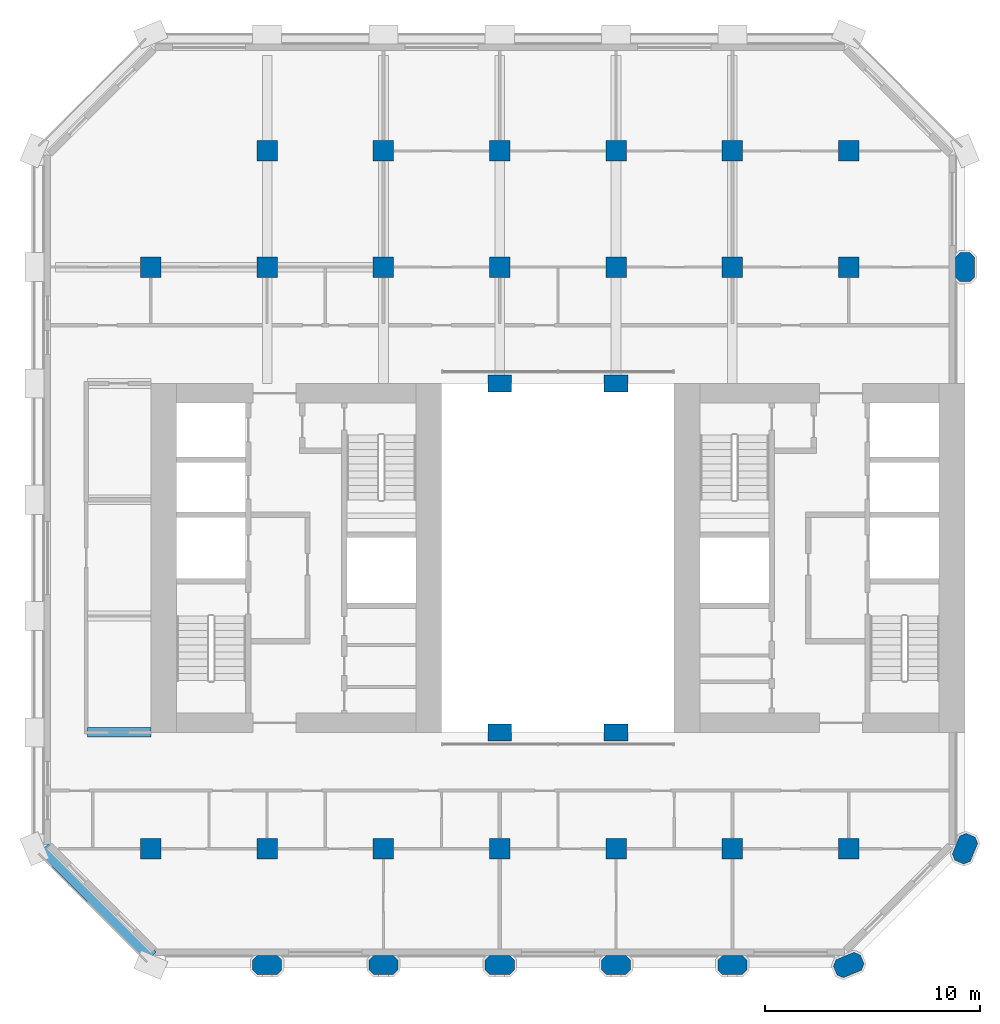
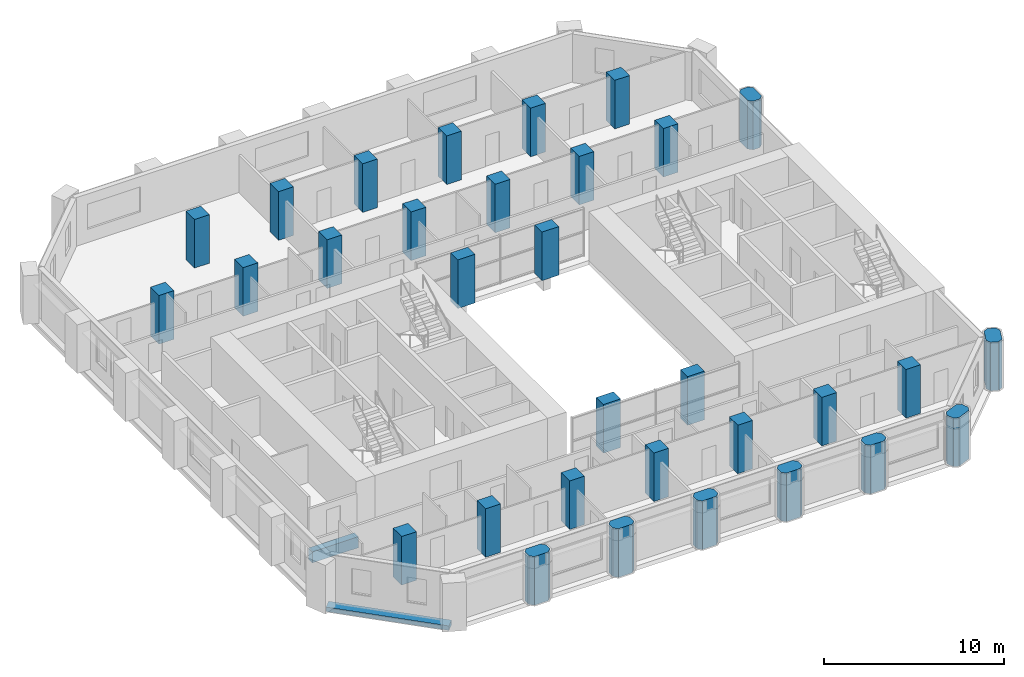
# One storey, part 1 of 13: 32 columns, 2 beams.
"""IFC4 building model written with IfcOpenShell, lengths in metres."""

from ifc_helpers import new_model, si_unit, direction, frame, origin, origin_2d, place, context, subcontext, project, spatial, polyline, rectangle, outline, extrude, material, material_profile, profile_set, type_object, element, save


model = new_model("IFC4")

# Units and contexts
model_context = context("Model", 3, precision=1e-05, world=origin(), true_north=direction((0.0, 1.0)))
body_context = subcontext(model_context, "Body", "Model", "MODEL_VIEW")
ifc_project = project(units=[si_unit("LENGTHUNIT", "METRE"), si_unit("AREAUNIT", "SQUARE_METRE"), si_unit("VOLUMEUNIT", "CUBIC_METRE"), si_unit("PLANEANGLEUNIT", "RADIAN"), si_unit("MASSUNIT", "GRAM", prefix="KILO")], contexts=[model_context])

# Site, building, storey
site_placement = place(None, origin())
site = spatial("IfcSite", under=ifc_project, at=site_placement, CompositionType="ELEMENT")
building_placement = place(site_placement, origin())
building = spatial("IfcBuilding", under=site, at=building_placement, Name="Tabaq Tower and Sports Hall", CompositionType="ELEMENT")
storey_placement = place(building_placement, frame((0.0, 0.0, 122.0)))
storey = spatial("IfcBuildingStorey", under=building, at=storey_placement, Name="L29", CompositionType="ELEMENT", Elevation=122.0)

# Columns
ifc_material_1 = material(Name="Concrete C60/75", Category="concrete")
ifc_material_profile_1 = material_profile(ifc_material_1, rectangle(XDim=1.10009765625, YDim=0.800048828125, at=origin_2d()), Name="ATRIUM COLUMN 1100x800")
ifc_profile_set_1 = profile_set([ifc_material_profile_1], Name="Concrete C60/75")
column_type_1 = type_object("IfcColumnType", Name="RC COLUMN ATRIUM COLUMN 1100x800 C60/75", PredefinedType="COLUMN", material=ifc_profile_set_1)
for number, where, z_axis, x_axis, name in (
    (1, (21.60009765625, 16.199951171875, 0.0), (0.0, 0.0, 1.0), (1.0, 0.0, 0.0), "Atrium Column 5/D L29"),
    (2, (27.0, 16.199951171875, 0.0), (0.0, 0.0, 1.0), (1.0, 0.0, 0.0), "Atrium Column 6/D L29"),
    (3, (21.60009765625, 32.39990234375, 0.0), (0.0, 0.0, 1.0), (1.0, 0.0, 0.0), "Atrium Column 5/G L29"),
    (4, (27.0, 32.39990234375, 0.0), (0.0, 0.0, 1.0), (1.0, 0.0, 0.0), "Atrium Column 6/G L29"),
):
    element("IfcColumn", number, at=place(storey_placement, frame(where, z_axis=z_axis, x_axis=x_axis)), inside=storey, type_object=column_type_1, Name=name, PredefinedType="COLUMN", context=body_context, shape_type="SweptSolid", body=[
        extrude(rectangle(XDim=1.10009765625, YDim=0.800048828125, at=origin_2d()), origin(), (0.0, 0.0, 1.0), 3.300048828125),
    ])
ifc_material_2 = material(Name="Concrete C60/75", Category="concrete")
ifc_material_profile_2 = material_profile(ifc_material_2, rectangle(XDim=0.949951171875, YDim=0.949951171875, at=origin_2d()), Name="COLUMN 950x950")
ifc_profile_set_2 = profile_set([ifc_material_profile_2], Name="Concrete C60/75")
column_type_2 = type_object("IfcColumnType", Name="RC COLUMN COLUMN 950x950 C60/75", PredefinedType="COLUMN", material=ifc_profile_set_2)
for number, where, z_axis, x_axis, name in (
    (5, (5.39990234375, 10.800048828125, 0.0), (0.0, 0.0, 1.0), (1.0, 0.0, 0.0), "Column 2/C L29"),
    (6, (10.800048828125, 10.800048828125, 0.0), (0.0, 0.0, 1.0), (1.0, 0.0, 0.0), "Column 3/C L29"),
    (7, (16.199951171875, 10.800048828125, 0.0), (0.0, 0.0, 1.0), (1.0, 0.0, 0.0), "Column 4/C L29"),
    (8, (21.60009765625, 10.800048828125, 0.0), (0.0, 0.0, 1.0), (1.0, 0.0, 0.0), "Column 5/C L29"),
    (9, (27.0, 10.800048828125, 0.0), (0.0, 0.0, 1.0), (1.0, 0.0, 0.0), "Column 6/C L29"),
    (10, (32.39990234375, 10.800048828125, 0.0), (0.0, 0.0, 1.0), (1.0, 0.0, 0.0), "Column 7/C L29"),
    (11, (37.800048828125, 10.800048828125, 0.0), (0.0, 0.0, 1.0), (1.0, 0.0, 0.0), "Column 8/C L29"),
    (12, (5.39990234375, 37.800048828125, 0.0), (0.0, 0.0, 1.0), (1.0, 0.0, 0.0), "Column 2/H L29"),
    (13, (10.800048828125, 37.800048828125, 0.0), (0.0, 0.0, 1.0), (1.0, 0.0, 0.0), "Column 3/H L29"),
    (14, (16.199951171875, 37.800048828125, 0.0), (0.0, 0.0, 1.0), (1.0, 0.0, 0.0), "Column 4/H L29"),
    (15, (21.60009765625, 37.800048828125, 0.0), (0.0, 0.0, 1.0), (1.0, 0.0, 0.0), "Column 5/H L29"),
    (16, (27.0, 37.800048828125, 0.0), (0.0, 0.0, 1.0), (1.0, 0.0, 0.0), "Column 6/H L29"),
    (17, (32.39990234375, 37.800048828125, 0.0), (0.0, 0.0, 1.0), (1.0, 0.0, 0.0), "Column 7/H L29"),
    (18, (37.800048828125, 37.800048828125, 0.0), (0.0, 0.0, 1.0), (1.0, 0.0, 0.0), "Column 8/H L29"),
    (19, (10.800048828125, 43.199951171875, 0.0), (0.0, 0.0, 1.0), (1.0, 0.0, 0.0), "Column 3/I L29"),
    (20, (16.199951171875, 43.199951171875, 0.0), (0.0, 0.0, 1.0), (1.0, 0.0, 0.0), "Column 4/I L29"),
    (21, (21.60009765625, 43.199951171875, 0.0), (0.0, 0.0, 1.0), (1.0, 0.0, 0.0), "Column 5/I L29"),
    (22, (27.0, 43.199951171875, 0.0), (0.0, 0.0, 1.0), (1.0, 0.0, 0.0), "Column 6/I L29"),
    (23, (32.39990234375, 43.199951171875, 0.0), (0.0, 0.0, 1.0), (1.0, 0.0, 0.0), "Column 7/I L29"),
    (24, (37.800048828125, 43.199951171875, 0.0), (0.0, 0.0, 1.0), (1.0, 0.0, 0.0), "Column 8/I L29"),
):
    element("IfcColumn", number, at=place(storey_placement, frame(where, z_axis=z_axis, x_axis=x_axis)), inside=storey, type_object=column_type_2, Name=name, PredefinedType="COLUMN", context=body_context, shape_type="SweptSolid", body=[
        extrude(rectangle(XDim=0.949951171875, YDim=0.949951171875, at=origin_2d()), origin(), (0.0, 0.0, 1.0), 3.300048828125),
    ])
ifc_material_3 = material(Name="Concrete C60/75", Category="concrete")
ifc_material_profile_3 = material_profile(ifc_material_3, outline(polyline([(-0.449951171875, -0.449951171875), (0.449951171875, -0.449951171875), (0.675048828125, -0.22509765625), (0.675048828125, 0.22509765625), (0.449951171875, 0.449951171875), (-0.449951171875, 0.449951171875), (-0.675048828125, 0.22509765625), (-0.675048828125, -0.22509765625), (-0.449951171875, -0.449951171875)])), Name="PIER 1350x900")
ifc_profile_set_3 = profile_set([ifc_material_profile_3], Name="Concrete C60/75")
column_type_3 = type_object("IfcColumnType", Name="RC COLUMN PIER 1350x900 C60/75", PredefinedType="COLUMN", material=ifc_profile_set_3)
for number, where, z_axis, x_axis, name in (
    (25, (10.800048828125, 5.39990234375, 0.0), (0.0, 0.0, 1.0), (1.0, 0.0, 0.0), "Pier 3/B L29"),
    (26, (16.199951171875, 5.39990234375, 0.0), (0.0, 0.0, 1.0), (1.0, 0.0, 0.0), "Pier 4/B L29"),
    (27, (21.60009765625, 5.39990234375, 0.0), (0.0, 0.0, 1.0), (1.0, 0.0, 0.0), "Pier 5/B L29"),
    (28, (27.0, 5.39990234375, 0.0), (0.0, 0.0, 1.0), (1.0, 0.0, 0.0), "Pier 6/B L29"),
    (29, (32.39990234375, 5.39990234375, 0.0), (0.0, 0.0, 1.0), (1.0, 0.0, 0.0), "Pier 7/B L29"),
    (30, (37.800048828125, 5.39990234375, 0.0), (0.0, 0.0, 1.0), (0.923879532511, 0.382683432365, 0.0), "Pier 8/B L29"),
    (31, (43.199951171875, 10.800048828125, 0.0), (0.0, 0.0, 1.0), (0.382683432365, 0.923879532511, 0.0), "Pier 9/C L29"),
    (32, (43.199951171875, 37.800048828125, 0.0), (0.0, 0.0, 1.0), (0.0, 1.0, 0.0), "Pier 9/H L29"),
):
    element("IfcColumn", number, at=place(storey_placement, frame(where, z_axis=z_axis, x_axis=x_axis)), inside=storey, type_object=column_type_3, Name=name, PredefinedType="COLUMN", context=body_context, shape_type="SweptSolid", body=[
        extrude(outline(polyline([(-0.449951171875, -0.449951171875), (0.449951171875, -0.449951171875), (0.675048828125, -0.22509765625), (0.675048828125, 0.22509765625), (0.449951171875, 0.449951171875), (-0.449951171875, 0.449951171875), (-0.675048828125, 0.22509765625), (-0.675048828125, -0.22509765625), (-0.449951171875, -0.449951171875)])), origin(), (0.0, 0.0, 1.0), 3.300048828125),
    ])

# Beams
ifc_material_4 = material(Name="Concrete C40/50", Category="concrete")
ifc_material_profile_4 = material_profile(ifc_material_4, rectangle(XDim=0.449951171875, YDim=0.75, at=origin_2d()), Name="CB 450x750")
ifc_profile_set_4 = profile_set([ifc_material_profile_4], Name="Concrete C40/50")
beam_type_1 = type_object("IfcBeamType", Name="PT CANTILEVER BEAM CB 450x750 C40/50", PredefinedType="BEAM", material=ifc_profile_set_4)
beam_1_placement = place(storey_placement, frame((2.449951171875, 16.199951171875, -0.675048828125), z_axis=(1.0, 0.0, 0.0), x_axis=(0.0, 1.0, 0.0)))
element("IfcBeam", 33, at=beam_1_placement, inside=storey, type_object=beam_type_1, Name="Cantilever Beam L29 W3 span 1", PredefinedType="BEAM", context=body_context, shape_type="SweptSolid", body=[
    extrude(rectangle(XDim=0.449951171875, YDim=0.75, at=origin_2d()), origin(), (0.0, 0.0, 1.0), 2.949951171875),
])
ifc_material_5 = material(Name="Concrete C40/50", Category="concrete")
ifc_material_profile_5 = material_profile(ifc_material_5, rectangle(XDim=0.60009765625, YDim=0.300048828125, at=origin_2d()), Name="EB 600x300")
ifc_profile_set_5 = profile_set([ifc_material_profile_5], Name="Concrete C40/50")
beam_type_2 = type_object("IfcBeamType", Name="PT EDGE BEAM EB 600x300 C40/50", PredefinedType="SPANDREL", material=ifc_profile_set_5)
beam_2_placement = place(storey_placement, frame((0.42333984375, 10.801025390625, -0.14990234375), z_axis=(0.707089559252, -0.707124002701, 0.0), x_axis=(0.707124002701, 0.707089559252, 0.0)))
element("IfcBeam", 34, at=beam_2_placement, inside=storey, type_object=beam_type_2, Name="Edge Beam L29 5", PredefinedType="SPANDREL", context=body_context, shape_type="SweptSolid", body=[
    extrude(rectangle(XDim=0.60009765625, YDim=0.300048828125, at=origin_2d()), origin(), (0.0, 0.0, 1.0), 7.088134765625),
])

save(model, "model.ifc")
